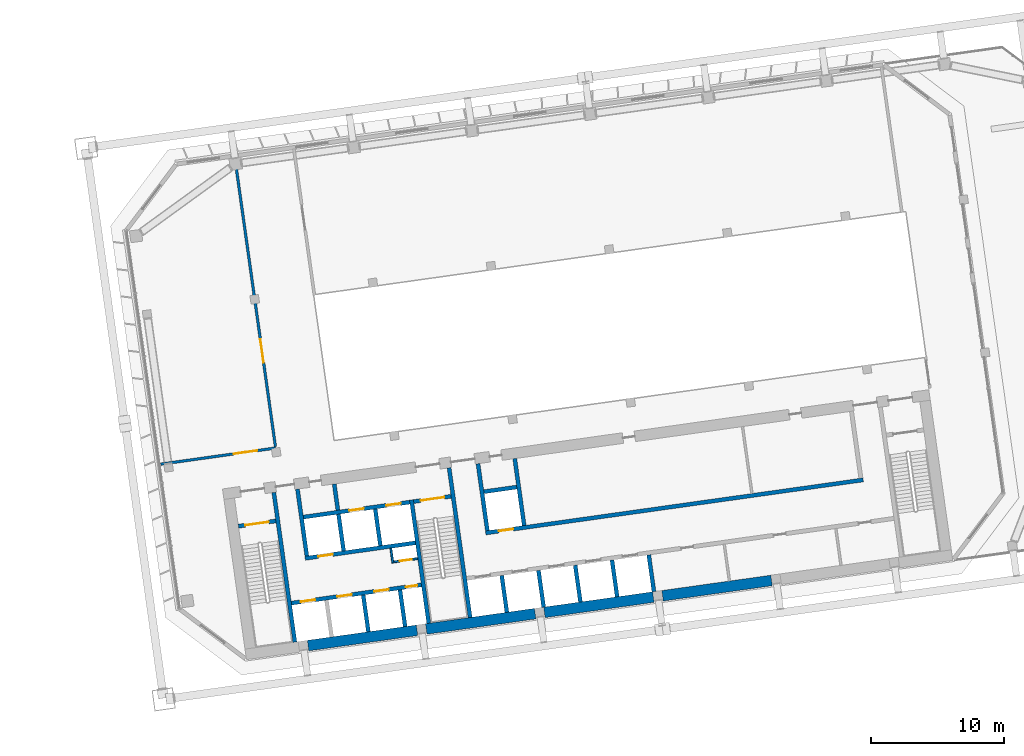
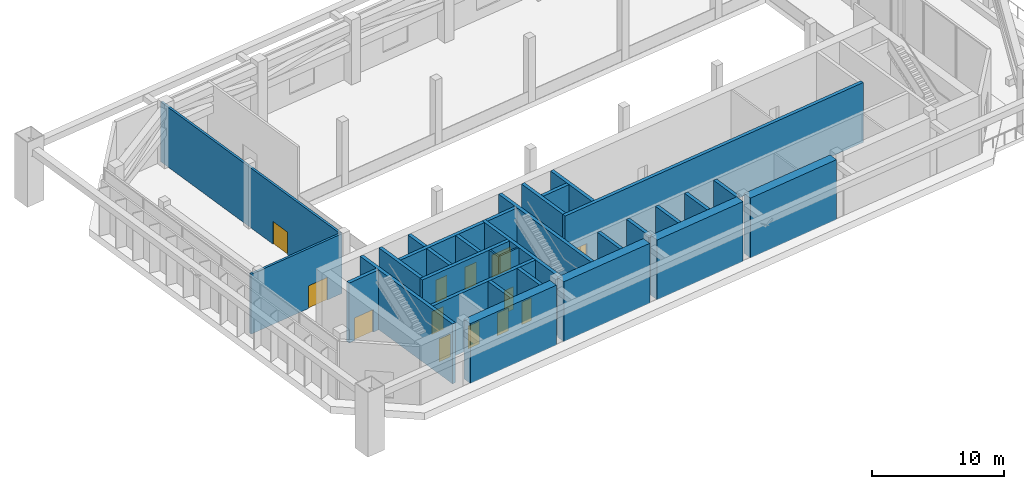
# One storey, part 23 of 41: 31 walls, 13 doors, 13 openings.
"""IFC4 building model written with IfcOpenShell, lengths in metres."""

import ifcopenshell
import ifcopenshell.guid

model = None  # the IFC model being written
_history = None  # IfcOwnerHistory: only IFC2X3 demands one
_inside = {}  # id of a spatial element -> (the spatial element, [elements in it])
_under = {}  # id of a project, library or spatial element -> (it, [spatial elements below it])
_declared = {}  # id of a project -> (the project, [libraries it declares])
_typed = {}  # id of a type object -> (the type object, [elements of that type])
_made_of = {}  # id of a material, layer set ... -> (it, [elements and type objects made of it])


def new_model(schema):
    """Start an empty IFC model of exactly this schema.

    Asked for "IFC4X3", IfcOpenShell would pick the latest addendum, in which some entities
    have other attributes; the version numbers below select the first issue.
    IFC2X3 requires an IfcOwnerHistory on every rooted entity: one is made here for all.
    """
    global model, _history
    if schema == "IFC4X3":
        model = ifcopenshell.file(schema_version=(4, 3, 0, 0))
    else:
        model = ifcopenshell.file(schema=schema)
    _inside.clear()
    _under.clear()
    _declared.clear()
    _typed.clear()
    _made_of.clear()
    _history = None
    if model.schema == "IFC2X3":
        org = make("IfcOrganization", Name="unknown")
        user = make(
            "IfcPersonAndOrganization",
            ThePerson=make("IfcPerson", FamilyName="unknown"),
            TheOrganization=org,
        )
        app = make(
            "IfcApplication",
            ApplicationDeveloper=org,
            Version="unknown",
            ApplicationFullName="unknown",
            ApplicationIdentifier="unknown",
        )
        _history = make(
            "IfcOwnerHistory",
            OwningUser=user,
            OwningApplication=app,
            ChangeAction="ADDED",
            CreationDate=0,
        )
    return model


def make(cls, **values):
    """One entity of the class cls with the attributes given. An attribute that is None is left unset."""
    return model.create_entity(
        cls, **{name: value for name, value in values.items() if value is not None}
    )


def rooted(cls, **values):
    """An entity with a GlobalId (a new one), such as an element, a storey or a relation."""
    return make(cls, GlobalId=ifcopenshell.guid.new(), OwnerHistory=_history, **values)


def si_unit(unit_type, name, prefix=None):
    """IfcSIUnit, for example si_unit("LENGTHUNIT", "METRE", prefix="MILLI")."""
    return make("IfcSIUnit", UnitType=unit_type, Prefix=prefix, Name=name)


def assignment(units):
    """IfcUnitAssignment: the units of a project."""
    return None if units is None else make("IfcUnitAssignment", Units=units)


def point(xyz):
    """IfcCartesianPoint."""
    return None if xyz is None else make("IfcCartesianPoint", Coordinates=xyz)


def direction(xyz):
    """IfcDirection."""
    return None if xyz is None else make("IfcDirection", DirectionRatios=xyz)


def frame(location, z_axis=None, x_axis=None):
    """IfcAxis2Placement3D, a coordinate frame: its origin and axes. An axis left out is left unset."""
    return make(
        "IfcAxis2Placement3D",
        Location=point(location),
        Axis=direction(z_axis),
        RefDirection=direction(x_axis),
    )


def frame_2d(location, x_axis=None):
    """IfcAxis2Placement2D, a coordinate frame in the plane: its origin and x axis."""
    return make(
        "IfcAxis2Placement2D", Location=point(location), RefDirection=direction(x_axis)
    )


def origin():
    """The frame at (0, 0, 0) with its axes left unset."""
    return frame((0.0, 0.0, 0.0))


def place(relative_to, where):
    """IfcLocalPlacement: puts the frame where relative to a parent placement (None: the world)."""
    return make(
        "IfcLocalPlacement", PlacementRelTo=relative_to, RelativePlacement=where
    )


def context(
    kind, dimensions, precision=None, world=None, true_north=None, identifier=None
):
    """IfcGeometricRepresentationContext, for example the 3D "Model" context."""
    return make(
        "IfcGeometricRepresentationContext",
        ContextIdentifier=identifier,
        ContextType=kind,
        CoordinateSpaceDimension=dimensions,
        Precision=precision,
        WorldCoordinateSystem=world,
        TrueNorth=true_north,
    )


def subcontext(parent, identifier, kind, view, scale=None):
    """IfcGeometricRepresentationSubContext, for example "Body" below "Model"."""
    return make(
        "IfcGeometricRepresentationSubContext",
        ContextIdentifier=identifier,
        ContextType=kind,
        ParentContext=parent,
        TargetScale=scale,
        TargetView=view,
    )


def project(units=None, contexts=None):
    """IfcProject with its units and contexts."""
    return rooted(
        "IfcProject",
        Name="project",
        RepresentationContexts=contexts,
        UnitsInContext=assignment(units),
    )


def spatial(cls, under=None, at=None, **own):
    """A site, building, storey or space (cls), placed at a placement, below another one or the project."""
    s = rooted(cls, ObjectPlacement=at, **own)
    if under is not None:
        _under.setdefault(under.id(), (under, []))[1].append(s)
    return s


def profile(cls, at=None, kind="AREA", **sizes):
    """A parametric profile (cls). Its sizes go by their IFC names, for example OverallWidth=200.0."""
    return make(cls, ProfileType=kind, Position=at, **sizes)


def rectangle(**sizes):
    """IfcRectangleProfileDef."""
    return profile("IfcRectangleProfileDef", **sizes)


def extrude(swept, where, along, depth):
    """IfcExtrudedAreaSolid: the profile swept, set in the frame where, extruded along a direction by depth."""
    return make(
        "IfcExtrudedAreaSolid",
        SweptArea=swept,
        Position=where,
        ExtrudedDirection=direction(along),
        Depth=depth,
    )


def shape(context_of_items, identifier, shape_type, items):
    """IfcShapeRepresentation: the items that make up one representation, for example the "Body"."""
    return make(
        "IfcShapeRepresentation",
        ContextOfItems=context_of_items,
        RepresentationIdentifier=identifier,
        RepresentationType=shape_type,
        Items=items,
    )


def material(Name=None, Category=None):
    """IfcMaterial."""
    return make("IfcMaterial", Name=Name, Category=Category)


def layer(
    of_material, thickness, ventilated=None, Name=None, Category=None, Priority=None
):
    """IfcMaterialLayer: one layer of a wall or slab, of a material (None: an air gap)."""
    return make(
        "IfcMaterialLayer",
        Material=of_material,
        LayerThickness=thickness,
        IsVentilated=ventilated,
        Name=Name,
        Category=Category,
        Priority=Priority,
    )


def layer_set(layers, Name=None):
    """IfcMaterialLayerSet."""
    return make("IfcMaterialLayerSet", MaterialLayers=layers, LayerSetName=Name)


def made_of(thing, what):
    """Note that an element or type object is made of a material, layer set ...; save() writes the relation."""
    if what is not None:
        _made_of.setdefault(what.id(), (what, []))[1].append(thing)
    return thing


def type_object(cls, material=None, **own):
    """A type object (cls), such as IfcWallType, which elements share."""
    return made_of(rooted(cls, **own), material)


def element(
    cls,
    number,
    at=None,
    inside=None,
    cuts=None,
    type_object=None,
    material=None,
    context=None,
    identifier="Body",
    shape_type=None,
    held_by="IfcProductDefinitionShape",
    body=None,
    shapes=None,
    **own,
):
    """One element of the class cls, such as IfcWall. Its Tag is "e" and its number.

    at: its placement. inside: the storey or other place that contains it. cuts: it is an
    opening in that element (IfcRelVoidsElement). A single representation is given by context,
    identifier, shape_type and body (its items); several are given by shapes. held_by: the class
    of the entity that holds the representations. save() writes the other relations.
    """
    e = rooted(cls, Tag="e%d" % number, ObjectPlacement=at, **own)
    if body is not None:
        shapes = [shape(context, identifier, shape_type, body)]
    if shapes is not None:
        e.Representation = make(held_by, Representations=shapes)
    if inside is not None:
        _inside.setdefault(inside.id(), (inside, []))[1].append(e)
    if cuts is not None:
        rooted(
            "IfcRelVoidsElement", RelatingBuildingElement=cuts, RelatedOpeningElement=e
        )
    if type_object is not None:
        _typed.setdefault(type_object.id(), (type_object, []))[1].append(e)
    return made_of(e, material)


def fill(opening, filler):
    """IfcRelFillsElement: the door or window that sits in an opening."""
    return rooted(
        "IfcRelFillsElement",
        RelatingOpeningElement=opening,
        RelatedBuildingElement=filler,
    )


def aggregate(whole, parts):
    """IfcRelAggregates: a whole, such as a stair, and the parts it consists of."""
    return rooted("IfcRelAggregates", RelatingObject=whole, RelatedObjects=parts)


def save(model, path):
    """Write the relations noted so far, then the file.

    IfcRelAggregates (storeys below a building ...), IfcRelContainedInSpatialStructure (elements
    in a storey), IfcRelDefinesByType, IfcRelAssociatesMaterial and IfcRelDeclares: one each for
    every whole, place, type object, material and project.
    """
    for whole, parts in _under.values():
        aggregate(whole, parts)
    for where, things in _inside.values():
        rooted(
            "IfcRelContainedInSpatialStructure",
            RelatedElements=things,
            RelatingStructure=where,
        )
    for kind, things in _typed.values():
        rooted("IfcRelDefinesByType", RelatedObjects=things, RelatingType=kind)
    for what, things in _made_of.values():
        rooted("IfcRelAssociatesMaterial", RelatedObjects=things, RelatingMaterial=what)
    for by, libraries in _declared.values():
        rooted("IfcRelDeclares", RelatingContext=by, RelatedDefinitions=libraries)
    model.write(path)


model = new_model("IFC4")

# Units and contexts
model_context = context("Model", 3, precision=1e-05, world=origin(), true_north=direction((0.0, 1.0)))
body_context = subcontext(model_context, "Body", "Model", "MODEL_VIEW")
ifc_project = project(units=[si_unit("LENGTHUNIT", "METRE"), si_unit("AREAUNIT", "SQUARE_METRE"), si_unit("VOLUMEUNIT", "CUBIC_METRE"), si_unit("PLANEANGLEUNIT", "RADIAN"), si_unit("MASSUNIT", "GRAM", prefix="KILO")], contexts=[model_context])

# Site, building, storey
site_placement = place(None, origin())
site = spatial("IfcSite", under=ifc_project, at=site_placement, CompositionType="ELEMENT")
building_placement = place(site_placement, origin())
building = spatial("IfcBuilding", under=site, at=building_placement, Name="Mirante Cascada Hotel Towers", CompositionType="ELEMENT")
storey_placement = place(building_placement, frame((0.0, 0.0, 92.7)))
storey = spatial("IfcBuildingStorey", under=building, at=storey_placement, Name="L20", CompositionType="ELEMENT", Elevation=92.7)

# Wall
ifc_material_1 = material(Name="Masonry block", Category="masonry")
ifc_layer_1 = layer(ifc_material_1, 0.15)
ifc_layer_set_1 = layer_set([ifc_layer_1], Name="Core room partition 150 block EI 30")
wall_type_1 = type_object("IfcWallType", Name="Core room partition 150 block EI 30", PredefinedType="PARTITIONING", material=ifc_layer_set_1)
wall_1_placement = place(storey_placement, frame((48.2295, -12.793, 0.0), z_axis=(0.0, 0.0, 1.0), x_axis=(-0.1391935, 0.9902652, 0.0)))
element("IfcWall", 1, at=wall_1_placement, inside=storey, type_object=wall_type_1, Name="Core wall partition T2 L20 2", PredefinedType="PARTITIONING", context=body_context, shape_type="SweptSolid", body=[
    extrude(rectangle(XDim=1.1251, YDim=0.15, at=frame_2d((0.5626, 0.0))), origin(), (0.0, 0.0, 1.0), 5.55),
])

# Wall, opening, door
wall_2_placement = place(storey_placement, frame((48.2933, -12.7083, 0.0), z_axis=(0.0, 0.0, 1.0), x_axis=(0.990268, 0.1391734, 0.0)))
wall_2 = element("IfcWall", 2, at=wall_2_placement, inside=storey, type_object=wall_type_1, Name="Core wall partition T2 L20 3", PredefinedType="PARTITIONING", context=body_context, shape_type="SweptSolid", body=[
    extrude(rectangle(XDim=1.8251, YDim=0.15, at=frame_2d((0.9126, 0.0))), origin(), (0.0, 0.0, 1.0), 5.55),
])
opening_1_placement = place(wall_2_placement, frame((0.4625, 0.0, 0.0)))
opening_1 = element("IfcOpeningElement", 3, at=opening_1_placement, cuts=wall_2, Name="Opening D2-20-C23", PredefinedType="OPENING", context=body_context, shape_type="SweptSolid", body=[
    extrude(rectangle(XDim=0.9, YDim=2.1, at=frame_2d((0.45, 1.05))), frame((0.0, 0.075, 0.0), z_axis=(0.0, -1.0, 0.0), x_axis=(1.0, 0.0, 0.0)), (0.0, 0.0, 1.0), 0.15),
])
ifc_material_2 = material(Name="Hollow metal fire door leaf")
door_type_1 = type_object("IfcDoorType", Name="Fire door 900x2100 FD60", OperationType="NOTDEFINED", PredefinedType="DOOR", material=ifc_material_2)
door_1_placement = place(opening_1_placement, frame((0.9, 0.0, 0.0), z_axis=(0.0, 0.0, 1.0), x_axis=(-1.0, 0.0, 0.0)))
door_1 = element("IfcDoor", 4, at=door_1_placement, inside=storey, type_object=door_type_1, Name="Riser door T2 L20 23", OperationType="SINGLE_SWING_RIGHT", OverallHeight=2.1, OverallWidth=0.9, PredefinedType="DOOR", context=body_context, shape_type="SweptSolid", body=[
    extrude(rectangle(XDim=0.9, YDim=2.1, at=frame_2d((0.45, 1.05))), frame((0.0, 0.025, 0.0), z_axis=(0.0, -1.0, 0.0), x_axis=(1.0, 0.0, 0.0)), (0.0, 0.0, 1.0), 0.05),
])
fill(opening_1, door_1)

# Walls
ifc_material_3 = material(Name="Masonry block", Category="masonry")
ifc_layer_2 = layer(ifc_material_3, 0.3)
ifc_layer_set_2 = layer_set([ifc_layer_2], Name="Core wall 300 block EI 120")
wall_type_2 = type_object("IfcWallType", Name="Core wall 300 block EI 120", PredefinedType="PARTITIONING", material=ifc_layer_set_2)
wall_3_placement = place(storey_placement, frame((44.0843, -8.8061, 0.0), z_axis=(0.0, 0.0, 1.0), x_axis=(-0.1391951, 0.990265, 0.0)))
element("IfcWall", 5, at=wall_3_placement, inside=storey, type_object=wall_type_2, Name="Core wall partition T2 L20 1", PredefinedType="PARTITIONING", context=body_context, shape_type="SweptSolid", body=[
    extrude(rectangle(XDim=2.0001, YDim=0.3, at=frame_2d((1.0001, 0.0))), origin(), (0.0, 0.0, 1.0), 5.55),
])
ifc_material_4 = material(Name="Concrete C50/60", Category="concrete")
ifc_layer_3 = layer(ifc_material_4, 0.3)
ifc_layer_set_3 = layer_set([ifc_layer_3], Name="RC core wall 300 C50/60")
wall_type_3 = type_object("IfcWallType", Name="RC core wall 300 C50/60", PredefinedType="SHEAR", material=ifc_layer_set_3)
wall_4_placement = place(storey_placement, frame((40.8373, -18.7548, 0.0), z_axis=(0.0, 0.0, 1.0), x_axis=(-0.1391749, 0.9902678, 0.0)))
element("IfcWall", 6, at=wall_4_placement, inside=storey, type_object=wall_type_3, Name="Core wall T2:L20:5", PredefinedType="SHEAR", context=body_context, shape_type="SweptSolid", body=[
    extrude(rectangle(XDim=11.4, YDim=0.3, at=frame_2d((5.7, 0.0))), origin(), (0.0, 0.0, 1.0), 5.55),
])
wall_5_placement = place(storey_placement, frame((50.938, -17.3352, 0.0), z_axis=(0.0, 0.0, 1.0), x_axis=(-0.1391706, 0.9902684, 0.0)))
element("IfcWall", 7, at=wall_5_placement, inside=storey, type_object=wall_type_3, Name="Core wall T2:L20:6", PredefinedType="SHEAR", context=body_context, shape_type="SweptSolid", body=[
    extrude(rectangle(XDim=9.4, YDim=0.3, at=frame_2d((4.7, 0.0))), origin(), (0.0, 0.0, 1.0), 5.55),
])
wall_6_placement = place(storey_placement, frame((54.0574, -16.8968, 0.0), z_axis=(0.0, 0.0, 1.0), x_axis=(-0.1391761, 0.9902677, 0.0)))
element("IfcWall", 8, at=wall_6_placement, inside=storey, type_object=wall_type_3, Name="Core wall T2:L20:7", PredefinedType="SHEAR", context=body_context, shape_type="SweptSolid", body=[
    extrude(rectangle(XDim=11.3999, YDim=0.3, at=frame_2d((5.7, 0.0))), origin(), (0.0, 0.0, 1.0), 5.55),
])

# Wall, opening, door
wall_7_placement = place(storey_placement, frame((36.5791, -10.0123, 0.0), z_axis=(0.0, 0.0, 1.0), x_axis=(0.9902704, 0.1391564, 0.0)))
wall_7 = element("IfcWall", 9, at=wall_7_placement, inside=storey, type_object=wall_type_3, Name="Core wall T2:L20:9", PredefinedType="SHEAR", context=body_context, shape_type="SweptSolid", body=[
    extrude(rectangle(XDim=2.85, YDim=0.3, at=frame_2d((1.425, 0.0))), origin(), (0.0, 0.0, 1.0), 5.55),
])
opening_2_placement = place(wall_7_placement, frame((0.525, 0.0, 0.0)))
opening_2 = element("IfcOpeningElement", 10, at=opening_2_placement, cuts=wall_7, Name="Opening D2-20-C13", PredefinedType="OPENING", context=body_context, shape_type="SweptSolid", body=[
    extrude(rectangle(XDim=1.8, YDim=2.1, at=frame_2d((0.9, 1.05))), frame((0.0, 0.15, 0.0), z_axis=(0.0, -1.0, 0.0), x_axis=(1.0, 0.0, 0.0)), (0.0, 0.0, 1.0), 0.3),
])
ifc_material_5 = material(Name="Hollow metal fire door leaf")
door_type_2 = type_object("IfcDoorType", Name="Double fire door 1800x2100 FD60", OperationType="DOUBLE_DOOR_SINGLE_SWING", PredefinedType="DOOR", material=ifc_material_5)
door_2_placement = place(opening_2_placement, frame((1.8, 0.0, 0.0), z_axis=(0.0, 0.0, 1.0), x_axis=(-1.0, 0.0, 0.0)))
door_2 = element("IfcDoor", 11, at=door_2_placement, inside=storey, type_object=door_type_2, Name="Stair door T2 L20 13", OperationType="DOUBLE_DOOR_SINGLE_SWING", OverallHeight=2.1, OverallWidth=1.8, PredefinedType="DOOR", context=body_context, shape_type="SweptSolid", body=[
    extrude(rectangle(XDim=0.895, YDim=2.1, at=frame_2d((0.4475, 1.05))), frame((0.0, 0.025, 0.0), z_axis=(0.0, -1.0, 0.0), x_axis=(1.0, 0.0, 0.0)), (0.0, 0.0, 1.0), 0.05),
    extrude(rectangle(XDim=0.895, YDim=2.1, at=frame_2d((1.3525, 1.05))), frame((0.0, 0.025, 0.0), z_axis=(0.0, -1.0, 0.0), x_axis=(1.0, 0.0, 0.0)), (0.0, 0.0, 1.0), 0.05),
])
fill(opening_2, door_2)

wall_8_placement = place(storey_placement, frame((49.7992, -8.1544, 0.0), z_axis=(0.0, 0.0, 1.0), x_axis=(0.9902656, 0.1391909, 0.0)))
wall_8 = element("IfcWall", 12, at=wall_8_placement, inside=storey, type_object=wall_type_3, Name="Core wall T2:L20:10", PredefinedType="SHEAR", context=body_context, shape_type="SweptSolid", body=[
    extrude(rectangle(XDim=2.85, YDim=0.3, at=frame_2d((1.425, 0.0))), origin(), (0.0, 0.0, 1.0), 5.55),
])
opening_3_placement = place(wall_8_placement, frame((0.525, 0.0, 0.0)))
opening_3 = element("IfcOpeningElement", 13, at=opening_3_placement, cuts=wall_8, Name="Opening D2-20-C15", PredefinedType="OPENING", context=body_context, shape_type="SweptSolid", body=[
    extrude(rectangle(XDim=1.8, YDim=2.1, at=frame_2d((0.9, 1.05))), frame((0.0, 0.15, 0.0), z_axis=(0.0, -1.0, 0.0), x_axis=(1.0, 0.0, 0.0)), (0.0, 0.0, 1.0), 0.3),
])
door_3_placement = place(opening_3_placement, frame((1.8, 0.0, 0.0), z_axis=(0.0, 0.0, 1.0), x_axis=(-1.0, 0.0, 0.0)))
door_3 = element("IfcDoor", 14, at=door_3_placement, inside=storey, type_object=door_type_2, Name="Stair door T2 L20 15", OperationType="DOUBLE_DOOR_SINGLE_SWING", OverallHeight=2.1, OverallWidth=1.8, PredefinedType="DOOR", context=body_context, shape_type="SweptSolid", body=[
    extrude(rectangle(XDim=0.895, YDim=2.1, at=frame_2d((0.4475, 1.05))), frame((0.0, 0.025, 0.0), z_axis=(0.0, -1.0, 0.0), x_axis=(1.0, 0.0, 0.0)), (0.0, 0.0, 1.0), 0.05),
    extrude(rectangle(XDim=0.895, YDim=2.1, at=frame_2d((1.3525, 1.05))), frame((0.0, 0.025, 0.0), z_axis=(0.0, -1.0, 0.0), x_axis=(1.0, 0.0, 0.0)), (0.0, 0.0, 1.0), 0.05),
])
fill(opening_3, door_3)

# Wall, openings, doors
wall_9_placement = place(storey_placement, frame((40.5753, -15.8126, 0.0), z_axis=(0.0, 0.0, 1.0), x_axis=(0.9902682, 0.1391725, 0.0)))
wall_9 = element("IfcWall", 15, at=wall_9_placement, inside=storey, type_object=wall_type_3, Name="Core wall T2:L20:12", PredefinedType="SHEAR", context=body_context, shape_type="SweptSolid", body=[
    extrude(rectangle(XDim=9.8999, YDim=0.3, at=frame_2d((4.95, 0.0))), origin(), (0.0, 0.0, 1.0), 5.55),
])
opening_4_placement = place(wall_9_placement, frame((0.7, 0.0, 0.0)))
opening_4 = element("IfcOpeningElement", 16, at=opening_4_placement, cuts=wall_9, Name="Opening LD", PredefinedType="OPENING", context=body_context, shape_type="SweptSolid", body=[
    extrude(rectangle(XDim=1.1, YDim=2.1, at=frame_2d((0.55, 1.05))), frame((0.0, 0.15, 0.0), z_axis=(0.0, -1.0, 0.0), x_axis=(1.0, 0.0, 0.0)), (0.0, 0.0, 1.0), 0.3),
])
opening_5_placement = place(wall_9_placement, frame((3.5, 0.0, 0.0)))
opening_5 = element("IfcOpeningElement", 17, at=opening_5_placement, cuts=wall_9, Name="Opening LD", PredefinedType="OPENING", context=body_context, shape_type="SweptSolid", body=[
    extrude(rectangle(XDim=1.1, YDim=2.1, at=frame_2d((0.55, 1.05))), frame((0.0, 0.15, 0.0), z_axis=(0.0, -1.0, 0.0), x_axis=(1.0, 0.0, 0.0)), (0.0, 0.0, 1.0), 0.3),
])
opening_6_placement = place(wall_9_placement, frame((6.3, 0.0, 0.0)))
opening_6 = element("IfcOpeningElement", 18, at=opening_6_placement, cuts=wall_9, Name="Opening LD", PredefinedType="OPENING", context=body_context, shape_type="SweptSolid", body=[
    extrude(rectangle(XDim=1.1, YDim=2.1, at=frame_2d((0.55, 1.05))), frame((0.0, 0.15, 0.0), z_axis=(0.0, -1.0, 0.0), x_axis=(1.0, 0.0, 0.0)), (0.0, 0.0, 1.0), 0.3),
])
opening_7_placement = place(wall_9_placement, frame((8.7, 0.0, 0.0)))
opening_7 = element("IfcOpeningElement", 19, at=opening_7_placement, cuts=wall_9, Name="Opening D2-20-C22", PredefinedType="OPENING", context=body_context, shape_type="SweptSolid", body=[
    extrude(rectangle(XDim=0.9, YDim=2.1, at=frame_2d((0.45, 1.05))), frame((0.0, 0.15, 0.0), z_axis=(0.0, -1.0, 0.0), x_axis=(1.0, 0.0, 0.0)), (0.0, 0.0, 1.0), 0.3),
])
door_4_placement = place(opening_7_placement, frame((0.9, 0.0, 0.0), z_axis=(0.0, 0.0, 1.0), x_axis=(-1.0, 0.0, 0.0)))
door_4 = element("IfcDoor", 20, at=door_4_placement, inside=storey, type_object=door_type_1, Name="Riser door T2 L20 22", OperationType="SINGLE_SWING_RIGHT", OverallHeight=2.1, OverallWidth=0.9, PredefinedType="DOOR", context=body_context, shape_type="SweptSolid", body=[
    extrude(rectangle(XDim=0.9, YDim=2.1, at=frame_2d((0.45, 1.05))), frame((0.0, 0.025, 0.0), z_axis=(0.0, -1.0, 0.0), x_axis=(1.0, 0.0, 0.0)), (0.0, 0.0, 1.0), 0.05),
])
fill(opening_7, door_4)
ifc_material_6 = material(Name="Stainless steel", Category="steel")
door_type_3 = type_object("IfcDoorType", Name="Lift landing door 1100x2100 EI 120", OperationType="DOUBLE_DOOR_SLIDING", PredefinedType="DOOR", material=ifc_material_6)
door_5_placement = place(opening_4_placement, origin())
door_5 = element("IfcDoor", 21, at=door_5_placement, inside=storey, type_object=door_type_3, Name="Lift landing door HR2-1 L20", OperationType="DOUBLE_DOOR_SLIDING", OverallHeight=2.1, OverallWidth=1.1, PredefinedType="DOOR", context=body_context, shape_type="SweptSolid", body=[
    extrude(rectangle(XDim=0.545, YDim=2.1, at=frame_2d((0.2725, 1.05))), frame((0.0, 0.025, 0.0), z_axis=(0.0, -1.0, 0.0), x_axis=(1.0, 0.0, 0.0)), (0.0, 0.0, 1.0), 0.05),
    extrude(rectangle(XDim=0.545, YDim=2.1, at=frame_2d((0.8275, 1.05))), frame((0.0, 0.025, 0.0), z_axis=(0.0, -1.0, 0.0), x_axis=(1.0, 0.0, 0.0)), (0.0, 0.0, 1.0), 0.05),
])
fill(opening_4, door_5)
door_6_placement = place(opening_5_placement, origin())
door_6 = element("IfcDoor", 22, at=door_6_placement, inside=storey, type_object=door_type_3, Name="Lift landing door HR2-2 L20", OperationType="DOUBLE_DOOR_SLIDING", OverallHeight=2.1, OverallWidth=1.1, PredefinedType="DOOR", context=body_context, shape_type="SweptSolid", body=[
    extrude(rectangle(XDim=0.545, YDim=2.1, at=frame_2d((0.2725, 1.05))), frame((0.0, 0.025, 0.0), z_axis=(0.0, -1.0, 0.0), x_axis=(1.0, 0.0, 0.0)), (0.0, 0.0, 1.0), 0.05),
    extrude(rectangle(XDim=0.545, YDim=2.1, at=frame_2d((0.8275, 1.05))), frame((0.0, 0.025, 0.0), z_axis=(0.0, -1.0, 0.0), x_axis=(1.0, 0.0, 0.0)), (0.0, 0.0, 1.0), 0.05),
])
fill(opening_5, door_6)
door_7_placement = place(opening_6_placement, origin())
door_7 = element("IfcDoor", 23, at=door_7_placement, inside=storey, type_object=door_type_3, Name="Lift landing door HR2-3 L20", OperationType="DOUBLE_DOOR_SLIDING", OverallHeight=2.1, OverallWidth=1.1, PredefinedType="DOOR", context=body_context, shape_type="SweptSolid", body=[
    extrude(rectangle(XDim=0.545, YDim=2.1, at=frame_2d((0.2725, 1.05))), frame((0.0, 0.025, 0.0), z_axis=(0.0, -1.0, 0.0), x_axis=(1.0, 0.0, 0.0)), (0.0, 0.0, 1.0), 0.05),
    extrude(rectangle(XDim=0.545, YDim=2.1, at=frame_2d((0.8275, 1.05))), frame((0.0, 0.025, 0.0), z_axis=(0.0, -1.0, 0.0), x_axis=(1.0, 0.0, 0.0)), (0.0, 0.0, 1.0), 0.05),
])
fill(opening_6, door_7)

# Wall, opening, door
wall_10_placement = place(storey_placement, frame((41.6153, -12.435, 0.0), z_axis=(0.0, 0.0, 1.0), x_axis=(0.9902691, 0.139166, 0.0)))
wall_10 = element("IfcWall", 24, at=wall_10_placement, inside=storey, type_object=wall_type_3, Name="Core wall T2:L20:13", PredefinedType="SHEAR", context=body_context, shape_type="SweptSolid", body=[
    extrude(rectangle(XDim=8.4, YDim=0.3, at=frame_2d((4.2, 0.0))), origin(), (0.0, 0.0, 1.0), 5.55),
])
opening_8_placement = place(wall_10_placement, frame((1.0, 0.0, 0.0)))
opening_8 = element("IfcOpeningElement", 25, at=opening_8_placement, cuts=wall_10, Name="Opening LD", PredefinedType="OPENING", context=body_context, shape_type="SweptSolid", body=[
    extrude(rectangle(XDim=1.1, YDim=2.1, at=frame_2d((0.55, 1.05))), frame((0.0, 0.15, 0.0), z_axis=(0.0, -1.0, 0.0), x_axis=(1.0, 0.0, 0.0)), (0.0, 0.0, 1.0), 0.3),
])
door_8_placement = place(opening_8_placement, origin())
door_8 = element("IfcDoor", 26, at=door_8_placement, inside=storey, type_object=door_type_3, Name="Lift landing door HR2-4 L20", OperationType="DOUBLE_DOOR_SLIDING", OverallHeight=2.1, OverallWidth=1.1, PredefinedType="DOOR", context=body_context, shape_type="SweptSolid", body=[
    extrude(rectangle(XDim=0.545, YDim=2.1, at=frame_2d((0.2725, 1.05))), frame((0.0, 0.025, 0.0), z_axis=(0.0, -1.0, 0.0), x_axis=(1.0, 0.0, 0.0)), (0.0, 0.0, 1.0), 0.05),
    extrude(rectangle(XDim=0.545, YDim=2.1, at=frame_2d((0.8275, 1.05))), frame((0.0, 0.025, 0.0), z_axis=(0.0, -1.0, 0.0), x_axis=(1.0, 0.0, 0.0)), (0.0, 0.0, 1.0), 0.05),
])
fill(opening_8, door_8)

# Wall, openings, doors
wall_11_placement = place(storey_placement, frame((41.481, -9.3234, 0.0), z_axis=(0.0, 0.0, 1.0), x_axis=(0.9902679, 0.1391741, 0.0)))
wall_11 = element("IfcWall", 27, at=wall_11_placement, inside=storey, type_object=wall_type_3, Name="Core wall T2:L20:14", PredefinedType="SHEAR", context=body_context, shape_type="SweptSolid", body=[
    extrude(rectangle(XDim=8.0999, YDim=0.3, at=frame_2d((4.05, 0.0))), origin(), (0.0, 0.0, 1.0), 5.55),
])
opening_9_placement = place(wall_11_placement, frame((3.5, 0.0, 0.0)))
opening_9 = element("IfcOpeningElement", 28, at=opening_9_placement, cuts=wall_11, Name="Opening LD", PredefinedType="OPENING", context=body_context, shape_type="SweptSolid", body=[
    extrude(rectangle(XDim=1.1, YDim=2.1, at=frame_2d((0.55, 1.05))), frame((0.0, 0.15, 0.0), z_axis=(0.0, -1.0, 0.0), x_axis=(1.0, 0.0, 0.0)), (0.0, 0.0, 1.0), 0.3),
])
opening_10_placement = place(wall_11_placement, frame((6.3, 0.0, 0.0)))
opening_10 = element("IfcOpeningElement", 29, at=opening_10_placement, cuts=wall_11, Name="Opening LD", PredefinedType="OPENING", context=body_context, shape_type="SweptSolid", body=[
    extrude(rectangle(XDim=1.1, YDim=2.1, at=frame_2d((0.55, 1.05))), frame((0.0, 0.15, 0.0), z_axis=(0.0, -1.0, 0.0), x_axis=(1.0, 0.0, 0.0)), (0.0, 0.0, 1.0), 0.3),
])
door_9_placement = place(opening_9_placement, origin())
door_9 = element("IfcDoor", 30, at=door_9_placement, inside=storey, type_object=door_type_3, Name="Lift landing door FF3 L20", OperationType="DOUBLE_DOOR_SLIDING", OverallHeight=2.1, OverallWidth=1.1, PredefinedType="DOOR", context=body_context, shape_type="SweptSolid", body=[
    extrude(rectangle(XDim=0.545, YDim=2.1, at=frame_2d((0.2725, 1.05))), frame((0.0, 0.025, 0.0), z_axis=(0.0, -1.0, 0.0), x_axis=(1.0, 0.0, 0.0)), (0.0, 0.0, 1.0), 0.05),
    extrude(rectangle(XDim=0.545, YDim=2.1, at=frame_2d((0.8275, 1.05))), frame((0.0, 0.025, 0.0), z_axis=(0.0, -1.0, 0.0), x_axis=(1.0, 0.0, 0.0)), (0.0, 0.0, 1.0), 0.05),
])
fill(opening_9, door_9)
door_10_placement = place(opening_10_placement, origin())
door_10 = element("IfcDoor", 31, at=door_10_placement, inside=storey, type_object=door_type_3, Name="Lift landing door FF4 L20", OperationType="DOUBLE_DOOR_SLIDING", OverallHeight=2.1, OverallWidth=1.1, PredefinedType="DOOR", context=body_context, shape_type="SweptSolid", body=[
    extrude(rectangle(XDim=0.545, YDim=2.1, at=frame_2d((0.2725, 1.05))), frame((0.0, 0.025, 0.0), z_axis=(0.0, -1.0, 0.0), x_axis=(1.0, 0.0, 0.0)), (0.0, 0.0, 1.0), 0.05),
    extrude(rectangle(XDim=0.545, YDim=2.1, at=frame_2d((0.8275, 1.05))), frame((0.0, 0.025, 0.0), z_axis=(0.0, -1.0, 0.0), x_axis=(1.0, 0.0, 0.0)), (0.0, 0.0, 1.0), 0.05),
])
fill(opening_10, door_10)

# Walls
wall_12_placement = place(storey_placement, frame((46.3828, -17.9754, 0.0), z_axis=(0.0, 0.0, 1.0), x_axis=(-0.139181, 0.990267, 0.0)))
element("IfcWall", 32, at=wall_12_placement, inside=storey, type_object=wall_type_3, Name="Core wall T2:L20:16", PredefinedType="SHEAR", context=body_context, shape_type="SweptSolid", body=[
    extrude(rectangle(XDim=2.8, YDim=0.3, at=frame_2d((1.4, 0.0))), origin(), (0.0, 0.0, 1.0), 5.55),
])
wall_13_placement = place(storey_placement, frame((49.1555, -17.5857, 0.0), z_axis=(0.0, 0.0, 1.0), x_axis=(-0.1391459, 0.9902719, 0.0)))
element("IfcWall", 33, at=wall_13_placement, inside=storey, type_object=wall_type_3, Name="Core wall T2:L20:17", PredefinedType="SHEAR", context=body_context, shape_type="SweptSolid", body=[
    extrude(rectangle(XDim=2.7999, YDim=0.3, at=frame_2d((1.4, 0.0))), origin(), (0.0, 0.0, 1.0), 5.55),
])
for number, where, z_axis, x_axis, name in (
    (34, (44.5157, -11.8759, 0.0), (0.0, 0.0, 1.0), (-0.139181, 0.990267, 0.0), "Core wall T2:L20:18"),
    (35, (47.2885, -11.4862, 0.0), (0.0, 0.0, 1.0), (-0.139181, 0.990267, 0.0), "Core wall T2:L20:19"),
):
    element("IfcWall", number, at=place(storey_placement, frame(where, z_axis=z_axis, x_axis=x_axis)), inside=storey, type_object=wall_type_3, Name=name, PredefinedType="SHEAR", context=body_context, shape_type="SweptSolid", body=[
        extrude(rectangle(XDim=2.8, YDim=0.3, at=frame_2d((1.4, 0.0))), origin(), (0.0, 0.0, 1.0), 5.55),
    ])
wall_14_placement = place(storey_placement, frame((41.743, -12.2656, 0.0), z_axis=(0.0, 0.0, 1.0), x_axis=(-0.1391755, 0.9902677, 0.0)))
element("IfcWall", 36, at=wall_14_placement, inside=storey, type_object=wall_type_3, Name="Core wall T2:L20:20", PredefinedType="SHEAR", context=body_context, shape_type="SweptSolid", body=[
    extrude(rectangle(XDim=5.1, YDim=0.3, at=frame_2d((2.55, 0.0))), origin(), (0.0, 0.0, 1.0), 5.55),
])
for number, where, z_axis, x_axis, name in (
    (37, (56.8301, -16.5072, 0.0), (0.0, 0.0, 1.0), (-0.139176, 0.9902677, 0.0), "Core wall T2:L20:25"),
    (38, (59.6029, -16.1175, 0.0), (0.0, 0.0, 1.0), (-0.139176, 0.9902677, 0.0), "Core wall T2:L20:26"),
    (39, (62.3756, -15.7278, 0.0), (0.0, 0.0, 1.0), (-0.139176, 0.9902677, 0.0), "Core wall T2:L20:27"),
    (40, (65.1484, -15.3381, 0.0), (0.0, 0.0, 1.0), (-0.139176, 0.9902677, 0.0), "Core wall T2:L20:28"),
):
    element("IfcWall", number, at=place(storey_placement, frame(where, z_axis=z_axis, x_axis=x_axis)), inside=storey, type_object=wall_type_3, Name=name, PredefinedType="SHEAR", context=body_context, shape_type="SweptSolid", body=[
        extrude(rectangle(XDim=2.8001, YDim=0.3, at=frame_2d((1.4, 0.0))), origin(), (0.0, 0.0, 1.0), 5.55),
    ])
wall_15_placement = place(storey_placement, frame((67.9211, -14.9484, 0.0), z_axis=(0.0, 0.0, 1.0), x_axis=(-0.139181, 0.990267, 0.0)))
element("IfcWall", 41, at=wall_15_placement, inside=storey, type_object=wall_type_3, Name="Core wall T2:L20:29", PredefinedType="SHEAR", context=body_context, shape_type="SweptSolid", body=[
    extrude(rectangle(XDim=2.8, YDim=0.3, at=frame_2d((1.4, 0.0))), origin(), (0.0, 0.0, 1.0), 5.55),
])

# Wall, opening, door
wall_16_placement = place(storey_placement, frame((55.2315, -10.5214, 0.0), z_axis=(0.0, 0.0, 1.0), x_axis=(0.9902682, 0.1391722, 0.0)))
wall_16 = element("IfcWall", 42, at=wall_16_placement, inside=storey, type_object=wall_type_3, Name="Core wall T2:L20:32", PredefinedType="SHEAR", context=body_context, shape_type="SweptSolid", body=[
    extrude(rectangle(XDim=28.75, YDim=0.3, at=frame_2d((14.375, 0.0))), origin(), (0.0, 0.0, 1.0), 5.55),
])
opening_11_placement = place(wall_16_placement, frame((1.0, 0.0, 0.0)))
opening_11 = element("IfcOpeningElement", 43, at=opening_11_placement, cuts=wall_16, Name="Opening LD", PredefinedType="OPENING", context=body_context, shape_type="SweptSolid", body=[
    extrude(rectangle(XDim=1.1, YDim=2.1, at=frame_2d((0.55, 1.05))), frame((0.0, 0.15, 0.0), z_axis=(0.0, -1.0, 0.0), x_axis=(1.0, 0.0, 0.0)), (0.0, 0.0, 1.0), 0.3),
])
door_11_placement = place(opening_11_placement, origin())
door_11 = element("IfcDoor", 44, at=door_11_placement, inside=storey, type_object=door_type_3, Name="Lift landing door LR2-3 L20", OperationType="DOUBLE_DOOR_SLIDING", OverallHeight=2.1, OverallWidth=1.1, PredefinedType="DOOR", context=body_context, shape_type="SweptSolid", body=[
    extrude(rectangle(XDim=0.545, YDim=2.1, at=frame_2d((0.2725, 1.05))), frame((0.0, 0.025, 0.0), z_axis=(0.0, -1.0, 0.0), x_axis=(1.0, 0.0, 0.0)), (0.0, 0.0, 1.0), 0.05),
    extrude(rectangle(XDim=0.545, YDim=2.1, at=frame_2d((0.8275, 1.05))), frame((0.0, 0.025, 0.0), z_axis=(0.0, -1.0, 0.0), x_axis=(1.0, 0.0, 0.0)), (0.0, 0.0, 1.0), 0.05),
])
fill(opening_11, door_11)

# Walls
for number, where, z_axis, x_axis, name in (
    (45, (55.3592, -10.352, 0.0), (0.0, 0.0, 1.0), (-0.1391755, 0.9902677, 0.0), "Core wall T2:L20:33"),
    (46, (58.1319, -9.9623, 0.0), (0.0, 0.0, 1.0), (-0.1391755, 0.9902677, 0.0), "Core wall T2:L20:35"),
):
    element("IfcWall", number, at=place(storey_placement, frame(where, z_axis=z_axis, x_axis=x_axis)), inside=storey, type_object=wall_type_3, Name=name, PredefinedType="SHEAR", context=body_context, shape_type="SweptSolid", body=[
        extrude(rectangle(XDim=5.1, YDim=0.3, at=frame_2d((2.55, 0.0))), origin(), (0.0, 0.0, 1.0), 5.55),
    ])
wall_17_placement = place(storey_placement, frame((55.0971, -7.4098, 0.0), z_axis=(0.0, 0.0, 1.0), x_axis=(0.9902701, 0.1391586, 0.0)))
element("IfcWall", 47, at=wall_17_placement, inside=storey, type_object=wall_type_3, Name="Core wall T2:L20:36", PredefinedType="SHEAR", context=body_context, shape_type="SweptSolid", body=[
    extrude(rectangle(XDim=2.5, YDim=0.3, at=frame_2d((1.25, 0.0))), origin(), (0.0, 0.0, 1.0), 5.55),
])
ifc_material_7 = material(Name="Concrete C50/60", Category="concrete")
ifc_layer_4 = layer(ifc_material_7, 0.8)
ifc_layer_set_4 = layer_set([ifc_layer_4], Name="RC core wall 800 C50/60")
wall_type_4 = type_object("IfcWallType", Name="RC core wall 800 C50/60", PredefinedType="SHEAR", material=ifc_layer_set_4)
for number, where, z_axis, x_axis, name in (
    (48, (41.8337, -19.0187, 0.0), (0.0, 0.0, 1.0), (0.9902686, 0.1391692, 0.0), "Core wall T2:L20:1.2"),
    (49, (50.7461, -17.7661, 0.0), (0.0, 0.0, 1.0), (0.9902686, 0.1391692, 0.0), "Core wall T2:L20:1.3"),
):
    element("IfcWall", number, at=place(storey_placement, frame(where, z_axis=z_axis, x_axis=x_axis)), inside=storey, type_object=wall_type_4, Name=name, PredefinedType="SHEAR", context=body_context, shape_type="SweptSolid", body=[
        extrude(rectangle(XDim=8.3, YDim=0.8, at=frame_2d((4.15, 0.0))), origin(), (0.0, 0.0, 1.0), 5.55),
    ])
for number, where, z_axis, x_axis, name in (
    (50, (59.6585, -16.5136, 0.0), (0.0, 0.0, 1.0), (0.9902672, 0.1391793, 0.0), "Core wall T2:L20:1.4"),
    (51, (68.5709, -15.261, 0.0), (0.0, 0.0, 1.0), (0.9902689, 0.1391675, 0.0), "Core wall T2:L20:1.5"),
):
    element("IfcWall", number, at=place(storey_placement, frame(where, z_axis=z_axis, x_axis=x_axis)), inside=storey, type_object=wall_type_4, Name=name, PredefinedType="SHEAR", context=body_context, shape_type="SweptSolid", body=[
        extrude(rectangle(XDim=8.3001, YDim=0.8, at=frame_2d((4.15, 0.0))), origin(), (0.0, 0.0, 1.0), 5.55),
    ])

# Wall, opening, door
ifc_material_8 = material(Name="Masonry block", Category="masonry")
ifc_layer_5 = layer(ifc_material_8, 0.2)
ifc_layer_set_5 = layer_set([ifc_layer_5], Name="Refuge and plant wall 200 block EI 120")
wall_type_5 = type_object("IfcWallType", Name="Refuge and plant wall 200 block EI 120", PredefinedType="PARTITIONING", material=ifc_layer_set_5)
wall_18_placement = place(storey_placement, frame((30.7208, -5.3321, 0.0), z_axis=(0.0, 0.0, 1.0), x_axis=(0.990269, 0.1391666, 0.0)))
wall_18 = element("IfcWall", 52, at=wall_18_placement, inside=storey, type_object=wall_type_5, Name="Refuge floor wall T2 L20 S1", PredefinedType="PARTITIONING", context=body_context, shape_type="SweptSolid", body=[
    extrude(rectangle(XDim=8.7499, YDim=0.2, at=frame_2d((4.375, 0.0))), origin(), (0.0, 0.0, 1.0), 5.55),
])
opening_12_placement = place(wall_18_placement, frame((5.55, 0.0, 0.0)))
opening_12 = element("IfcOpeningElement", 53, at=opening_12_placement, cuts=wall_18, Name="Opening D2-20-S01", PredefinedType="OPENING", context=body_context, shape_type="SweptSolid", body=[
    extrude(rectangle(XDim=1.8, YDim=2.1, at=frame_2d((0.9, 1.05))), frame((0.0, 0.1, 0.0), z_axis=(0.0, -1.0, 0.0), x_axis=(1.0, 0.0, 0.0)), (0.0, 0.0, 1.0), 0.2),
])
ifc_material_9 = material(Name="Hollow metal fire door leaf")
door_type_4 = type_object("IfcDoorType", Name="Refuge and plant double door 1800x2100 FD60", OperationType="DOUBLE_DOOR_SINGLE_SWING", PredefinedType="DOOR", material=ifc_material_9)
door_12_placement = place(opening_12_placement, origin())
door_12 = element("IfcDoor", 54, at=door_12_placement, inside=storey, type_object=door_type_4, Name="Fire door T2 L20 s1", OperationType="DOUBLE_DOOR_SINGLE_SWING", OverallHeight=2.1, OverallWidth=1.8, PredefinedType="DOOR", context=body_context, shape_type="SweptSolid", body=[
    extrude(rectangle(XDim=0.895, YDim=2.1, at=frame_2d((0.4475, 1.05))), frame((0.0, 0.025, 0.0), z_axis=(0.0, -1.0, 0.0), x_axis=(1.0, 0.0, 0.0)), (0.0, 0.0, 1.0), 0.05),
    extrude(rectangle(XDim=0.895, YDim=2.1, at=frame_2d((1.3525, 1.05))), frame((0.0, 0.025, 0.0), z_axis=(0.0, -1.0, 0.0), x_axis=(1.0, 0.0, 0.0)), (0.0, 0.0, 1.0), 0.05),
])
fill(opening_12, door_12)

wall_19_placement = place(storey_placement, frame((39.3717, -4.0153, 0.0), z_axis=(0.0, 0.0, 1.0), x_axis=(-0.1391746, 0.9902679, 0.0)))
wall_19 = element("IfcWall", 55, at=wall_19_placement, inside=storey, type_object=wall_type_5, Name="Refuge floor wall T2 L20 S2", PredefinedType="PARTITIONING", context=body_context, shape_type="SweptSolid", body=[
    extrude(rectangle(XDim=22.05, YDim=0.2, at=frame_2d((11.025, 0.0))), origin(), (0.0, 0.0, 1.0), 5.55),
])
opening_13_placement = place(wall_19_placement, frame((6.4, 0.0, 0.0)))
opening_13 = element("IfcOpeningElement", 56, at=opening_13_placement, cuts=wall_19, Name="Opening D2-20-S02", PredefinedType="OPENING", context=body_context, shape_type="SweptSolid", body=[
    extrude(rectangle(XDim=1.8, YDim=2.1, at=frame_2d((0.9, 1.05))), frame((0.0, 0.1, 0.0), z_axis=(0.0, -1.0, 0.0), x_axis=(1.0, 0.0, 0.0)), (0.0, 0.0, 1.0), 0.2),
])
door_13_placement = place(opening_13_placement, origin())
door_13 = element("IfcDoor", 57, at=door_13_placement, inside=storey, type_object=door_type_4, Name="Fire door T2 L20 s2", OperationType="DOUBLE_DOOR_SINGLE_SWING", OverallHeight=2.1, OverallWidth=1.8, PredefinedType="DOOR", context=body_context, shape_type="SweptSolid", body=[
    extrude(rectangle(XDim=0.895, YDim=2.1, at=frame_2d((0.4475, 1.05))), frame((0.0, 0.025, 0.0), z_axis=(0.0, -1.0, 0.0), x_axis=(1.0, 0.0, 0.0)), (0.0, 0.0, 1.0), 0.05),
    extrude(rectangle(XDim=0.895, YDim=2.1, at=frame_2d((1.3525, 1.05))), frame((0.0, 0.025, 0.0), z_axis=(0.0, -1.0, 0.0), x_axis=(1.0, 0.0, 0.0)), (0.0, 0.0, 1.0), 0.05),
])
fill(opening_13, door_13)

save(model, "model.ifc")
